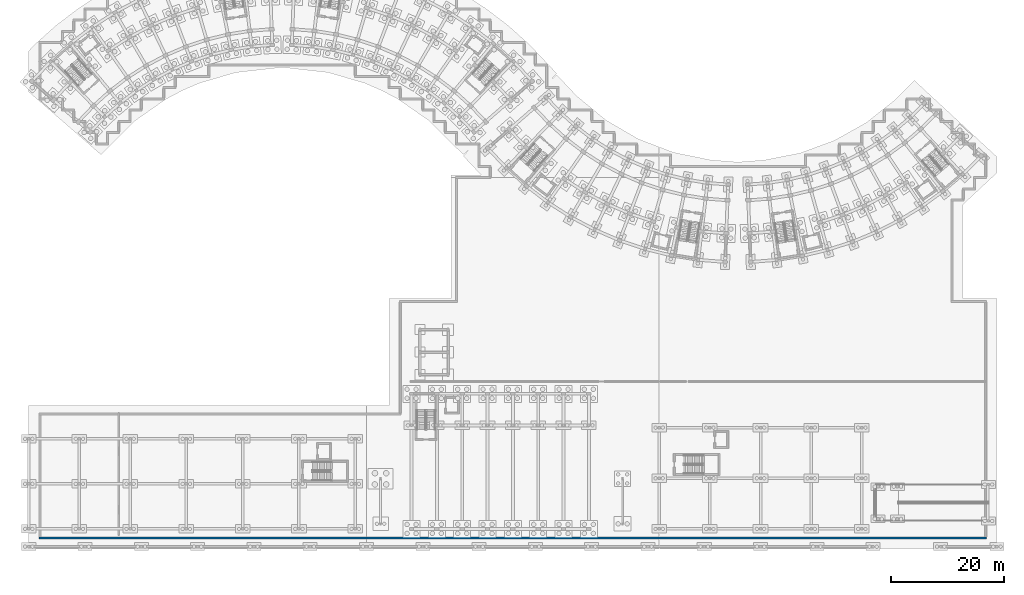
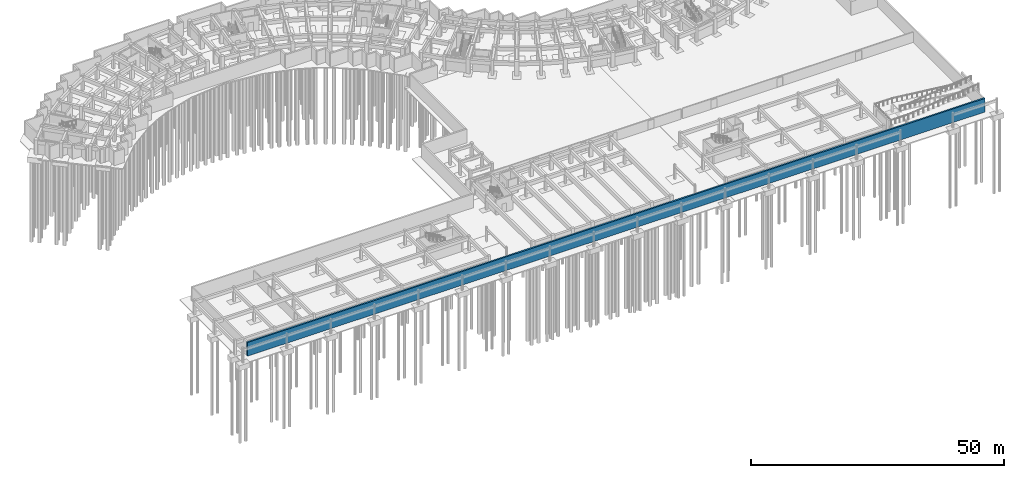
# One storey, part 17 of 32: 1 wall.
"""IFC4 building model written with IfcOpenShell, lengths in metres."""

from ifc_helpers import new_model, si_unit, direction, frame, frame_2d, origin, place, context, subcontext, project, spatial, rectangle, extrude, material, layer, layer_set, type_object, element, save


model = new_model("IFC4")

# Units and contexts
model_context = context("Model", 3, precision=1e-05, world=origin(), true_north=direction((0.0, 1.0)))
body_context = subcontext(model_context, "Body", "Model", "MODEL_VIEW")
ifc_project = project(units=[si_unit("LENGTHUNIT", "METRE"), si_unit("AREAUNIT", "SQUARE_METRE"), si_unit("VOLUMEUNIT", "CUBIC_METRE"), si_unit("PLANEANGLEUNIT", "RADIAN"), si_unit("MASSUNIT", "GRAM", prefix="KILO")], contexts=[model_context])

# Site, building, storey
site_placement = place(None, origin())
site = spatial("IfcSite", under=ifc_project, at=site_placement, CompositionType="ELEMENT")
building_placement = place(site_placement, origin())
building = spatial("IfcBuilding", under=site, at=building_placement, Name="Zimvara Arc Housing Community", CompositionType="ELEMENT")
storey_placement = place(building_placement, frame((0.0, 0.0, -3.60009765625)))
storey = spatial("IfcBuildingStorey", under=building, at=storey_placement, Name="B1", CompositionType="ELEMENT", Elevation=-3.60009765625)

# Wall
ifc_material = material(Name="Concrete C35/45", Category="concrete")
ifc_layer = layer(ifc_material, 0.360107421875)
ifc_layer_set = layer_set([ifc_layer], Name="Concrete C35/45")
wall_type = type_object("IfcWallType", Name="WL-RET-360", PredefinedType="USERDEFINED", material=ifc_layer_set)
wall_placement = place(storey_placement, frame((1.840087890625, 2.0, 0.0), z_axis=(0.0, 0.0, 1.0), x_axis=(1.0, 0.0, 0.0)))
element("IfcWall", 1, at=wall_placement, inside=storey, type_object=wall_type, Name="wall:B1:ret:135", ObjectType="RETAINING WALL", PredefinedType="USERDEFINED", context=body_context, shape_type="SweptSolid", body=[
    extrude(rectangle(XDim=168.31982421875, YDim=0.360107421875, at=frame_2d((84.159912109375, 0.0))), origin(), (0.0, 0.0, 1.0), 3.300048828125),
])

save(model, "model.ifc")
